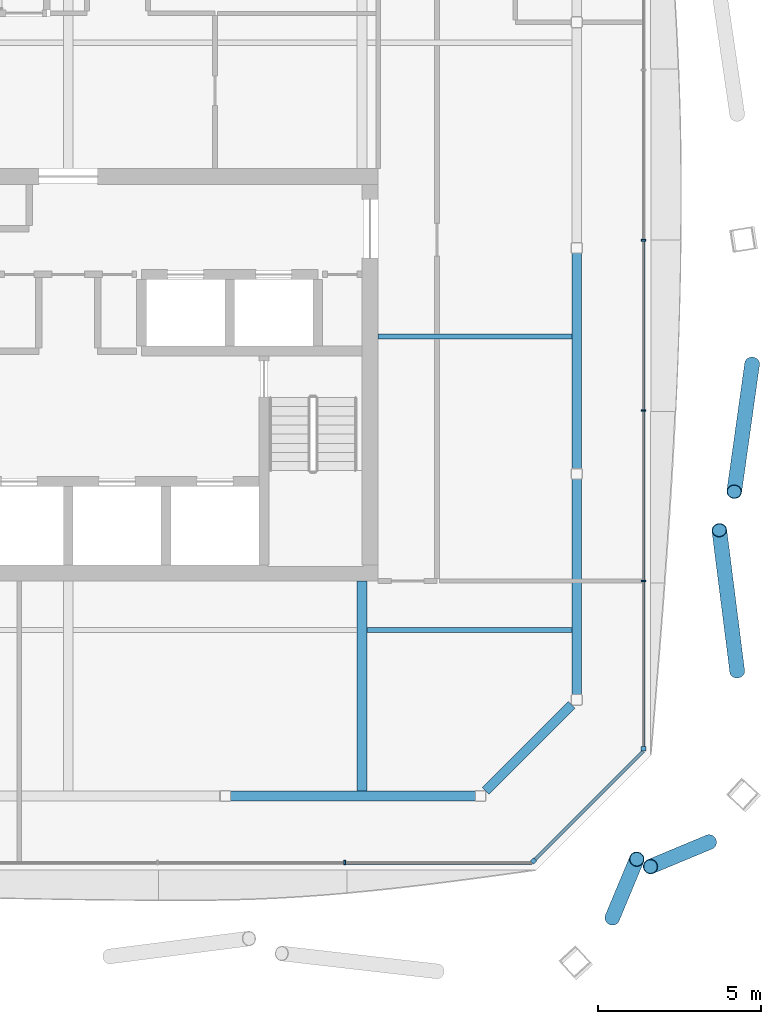
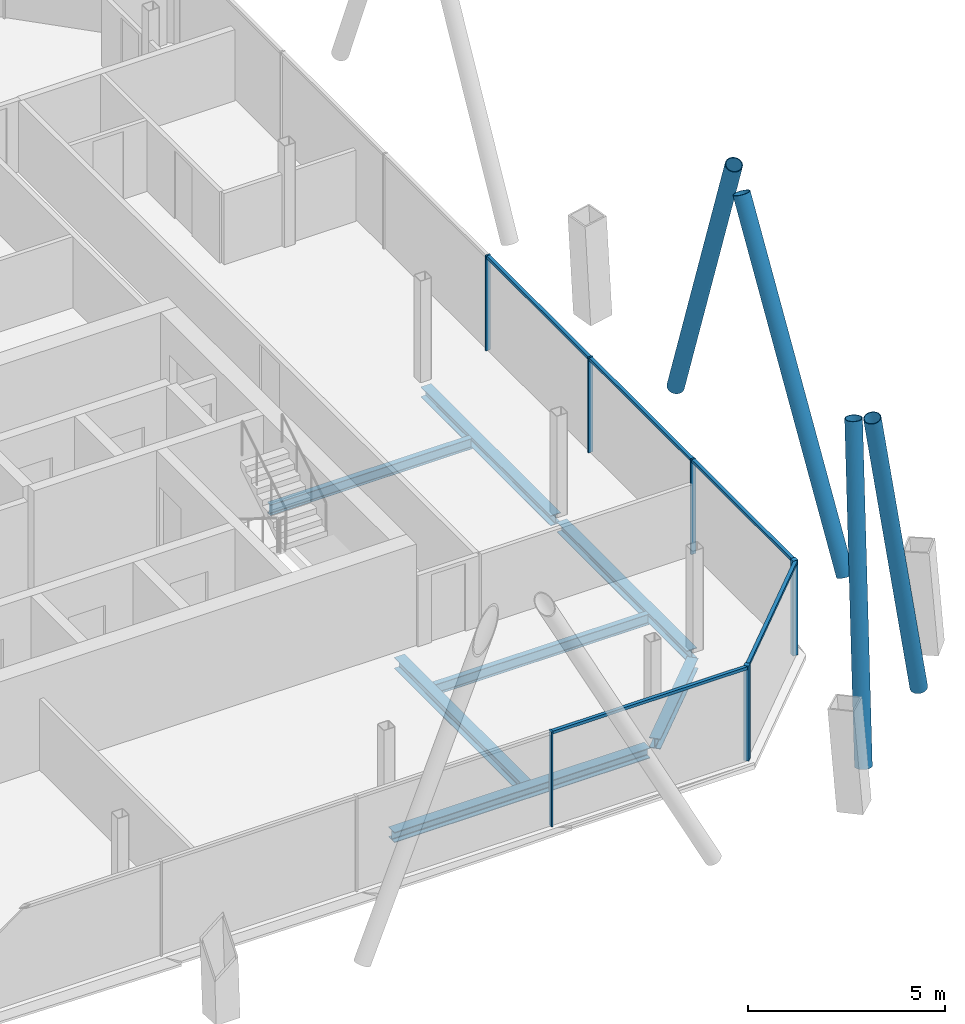
# One storey, part 8 of 20: 15 members, 7 beams, 3 elements without a shape of their own.
"""IFC4 building model written with IfcOpenShell, lengths in metres."""

from ifc_helpers import new_model, si_unit, direction, frame, origin, origin_2d, place, context, subcontext, project, spatial, rectangle, hollow_circle, i_section, extrude, material, material_profile, profile_set, type_object, element, aggregate, save


model = new_model("IFC4")

# Units and contexts
model_context = context("Model", 3, precision=1e-05, world=origin(), true_north=direction((0.0, 1.0)))
body_context = subcontext(model_context, "Body", "Model", "MODEL_VIEW")
ifc_project = project(units=[si_unit("LENGTHUNIT", "METRE"), si_unit("AREAUNIT", "SQUARE_METRE"), si_unit("VOLUMEUNIT", "CUBIC_METRE"), si_unit("PLANEANGLEUNIT", "RADIAN"), si_unit("MASSUNIT", "GRAM", prefix="KILO")], contexts=[model_context])

# Site, building, storey
site_placement = place(None, origin())
site = spatial("IfcSite", under=ifc_project, at=site_placement, CompositionType="ELEMENT")
building_placement = place(site_placement, origin())
building = spatial("IfcBuilding", under=site, at=building_placement, Name="Tskaro Facet Tower", CompositionType="ELEMENT")
storey_placement = place(building_placement, frame((0.0, 0.0, 181.64990234375)))
storey = spatial("IfcBuildingStorey", under=building, at=storey_placement, Name="L45", CompositionType="ELEMENT", Elevation=181.64990234375)

# Members
ifc_material_1 = material(Name="Steel S355J2H", Category="steel")
ifc_material_profile_1 = material_profile(ifc_material_1, hollow_circle(Radius=0.228515625, WallThickness=0.02001953125, at=origin_2d()), Name="CHS 457x20")
ifc_profile_set_1 = profile_set([ifc_material_profile_1], Name="Steel S355J2H")
member_type_1 = type_object("IfcMemberType", Name="CHS 457x20 brace", PredefinedType="BRACE", material=ifc_profile_set_1)
for number, where, z_axis, x_axis, name in (
    (1, (16.67333984375, -22.31640625, 0.0), (0.077728830292, 0.186351834342, 0.979403503557), (-0.922932265608, 0.384962378812, 0.0), "CHS 457x20 XB03A/4"),
    (2, (19.6396484375, -19.99658203125, 0.0), (-0.186351834342, -0.077728830292, 0.979403503557), (0.384962378812, -0.922932265608, 0.0), "CHS 457x20 XB03B/4"),
):
    element("IfcMember", number, at=place(storey_placement, frame(where, z_axis=z_axis, x_axis=x_axis)), inside=storey, type_object=member_type_1, Name=name, PredefinedType="BRACE", context=body_context, shape_type="SweptSolid", body=[
        extrude(hollow_circle(Radius=0.228515625, WallThickness=0.02001953125, at=origin_2d()), origin(), (0.0, 0.0, 1.0), 9.64892578125),
    ])
member_1_placement = place(storey_placement, frame((20.499755859375, -14.761962890625, 0.0), z_axis=(-0.052645276845, 0.415414401555, 0.908107565108), x_axis=(-0.99206526087, -0.125723976133, 0.0)))
element("IfcMember", 3, at=member_1_placement, inside=storey, type_object=member_type_1, Name="CHS 457x20 XB04A/4", PredefinedType="BRACE", context=body_context, shape_type="SweptSolid", body=[
    extrude(hollow_circle(Radius=0.228515625, WallThickness=0.02001953125, at=origin_2d()), origin(), (0.0, 0.0, 1.0), 10.406494140625),
])
member_2_placement = place(storey_placement, frame((20.956787109375, -5.346435546875, 0.0), z_axis=(-0.053486554569, -0.381985527417, 0.922619230953), x_axis=(0.990338691799, -0.138669663322, 0.0)))
element("IfcMember", 4, at=member_2_placement, inside=storey, type_object=member_type_1, Name="CHS 457x20 XB04B/4", PredefinedType="BRACE", context=body_context, shape_type="SweptSolid", body=[
    extrude(hollow_circle(Radius=0.228515625, WallThickness=0.02001953125, at=origin_2d()), origin(), (0.0, 0.0, 1.0), 10.24267578125),
])

# Curtain wall, member
ifc_material_2 = material(Name="Bronze anodised aluminium 6063-T6", Category="aluminium")
curtain_wall_type = type_object("IfcCurtainWallType", Name="Bronze residence curtain wall (FW3)", PredefinedType="NOTDEFINED", material=ifc_material_2)
curtain_wall_1_placement = place(storey_placement, origin())
curtain_wall_1 = element("IfcCurtainWall", 5, at=curtain_wall_1_placement, inside=storey, type_object=curtain_wall_type, Name="FW3 south-east facet L45", PredefinedType="NOTDEFINED")
ifc_material_profile_2 = material_profile(ifc_material_2, rectangle(XDim=0.139892578125, YDim=0.139892578125, at=origin_2d()), Name="Corner post 140x140")
ifc_profile_set_2 = profile_set([ifc_material_profile_2], Name="Bronze anodised aluminium 6063-T6")
member_type_2 = type_object("IfcMemberType", Name="FW3 bronze corner post 140x140", PredefinedType="MULLION", material=ifc_profile_set_2)
member_3_placement = place(storey_placement, frame((14.258544921875, -20.57861328125, 0.0), z_axis=(0.0, 0.0, 1.0), x_axis=(0.707106781187, 0.707106781187, 0.0)))
member_3 = element("IfcMember", 6, at=member_3_placement, type_object=member_type_2, Name="FW3 south-east corner post", PredefinedType="MULLION", context=body_context, shape_type="SweptSolid", body=[
    extrude(rectangle(XDim=0.139892578125, YDim=0.139892578125, at=origin_2d()), origin(), (0.0, 0.0, 1.0), 2.9501953125),
])

curtain_wall_2_placement = place(storey_placement, origin())
curtain_wall_2 = element("IfcCurtainWall", 7, at=curtain_wall_2_placement, inside=storey, type_object=curtain_wall_type, Name="FW3 east facet L45", PredefinedType="NOTDEFINED")
member_4_placement = place(storey_placement, frame((17.6279296875, -17.138916015625, 0.0), z_axis=(0.0, 0.0, 1.0), x_axis=(0.0, 1.0, 0.0)))
member_4 = element("IfcMember", 8, at=member_4_placement, type_object=member_type_2, Name="FW3 east corner post", PredefinedType="MULLION", context=body_context, shape_type="SweptSolid", body=[
    extrude(rectangle(XDim=0.139892578125, YDim=0.139892578125, at=origin_2d()), origin(), (0.0, 0.0, 1.0), 2.9501953125),
])

curtain_wall_3_placement = place(storey_placement, origin())
curtain_wall_3 = element("IfcCurtainWall", 9, at=curtain_wall_3_placement, inside=storey, type_object=curtain_wall_type, Name="FW3 south facet L45", PredefinedType="NOTDEFINED")
ifc_material_profile_3 = material_profile(ifc_material_2, rectangle(XDim=0.050048828125, YDim=0.139892578125, at=origin_2d()), Name="Mullion 50x140")
ifc_profile_set_3 = profile_set([ifc_material_profile_3], Name="Bronze anodised aluminium 6063-T6")
member_type_3 = type_object("IfcMemberType", Name="FW3 bronze mullion 50x140", PredefinedType="MULLION", material=ifc_profile_set_3)
member_5_placement = place(storey_placement, frame((8.47265625, -20.6279296875, 0.0), z_axis=(0.0, 0.0, 1.0), x_axis=(1.0, 0.0, 0.0)))
member_5 = element("IfcMember", 10, at=member_5_placement, type_object=member_type_3, Name="FW3 south mullion 5", PredefinedType="MULLION", context=body_context, shape_type="SweptSolid", body=[
    extrude(rectangle(XDim=0.050048828125, YDim=0.139892578125, at=origin_2d()), origin(), (0.0, 0.0, 1.0), 2.9501953125),
])

# Member
member_6_placement = place(storey_placement, frame((17.6279296875, -11.99072265625, 0.0), z_axis=(0.0, 0.0, 1.0), x_axis=(0.0, 1.0, 0.0)))
member_6 = element("IfcMember", 11, at=member_6_placement, type_object=member_type_3, Name="FW3 east mullion 1", PredefinedType="MULLION", context=body_context, shape_type="SweptSolid", body=[
    extrude(rectangle(XDim=0.050048828125, YDim=0.139892578125, at=origin_2d()), origin(), (0.0, 0.0, 1.0), 2.9501953125),
])

member_7_placement = place(storey_placement, frame((17.6279296875, -6.772705078125, 0.0), z_axis=(0.0, 0.0, 1.0), x_axis=(0.0, 1.0, 0.0)))
member_7 = element("IfcMember", 12, at=member_7_placement, type_object=member_type_3, Name="FW3 east mullion 2", PredefinedType="MULLION", context=body_context, shape_type="SweptSolid", body=[
    extrude(rectangle(XDim=0.050048828125, YDim=0.139892578125, at=origin_2d()), origin(), (0.0, 0.0, 1.0), 2.9501953125),
])

member_8_placement = place(storey_placement, frame((17.6279296875, -1.554443359375, 0.0), z_axis=(0.0, 0.0, 1.0), x_axis=(0.0, 1.0, 0.0)))
member_8 = element("IfcMember", 13, at=member_8_placement, type_object=member_type_3, Name="FW3 east mullion 3", PredefinedType="MULLION", context=body_context, shape_type="SweptSolid", body=[
    extrude(rectangle(XDim=0.050048828125, YDim=0.139892578125, at=origin_2d()), origin(), (0.0, 0.0, 1.0), 2.9501953125),
])

ifc_material_profile_4 = material_profile(ifc_material_2, rectangle(XDim=0.10009765625, YDim=0.090087890625, at=origin_2d()), Name="Transom 100x90")
ifc_profile_set_4 = profile_set([ifc_material_profile_4], Name="Bronze anodised aluminium 6063-T6")
member_type_4 = type_object("IfcMemberType", Name="FW3 bronze transom 100x90", PredefinedType="USERDEFINED", material=ifc_profile_set_4)
member_9_placement = place(storey_placement, frame((8.49755859375, -20.6279296875, 2.905029296875), z_axis=(1.0, 0.0, 0.0), x_axis=(0.0, 1.0, 0.0)))
member_9 = element("IfcMember", 14, at=member_9_placement, type_object=member_type_4, Name="FW3 south transom 6.1", ObjectType="TRANSOM", PredefinedType="USERDEFINED", context=body_context, shape_type="SweptSolid", body=[
    extrude(rectangle(XDim=0.10009765625, YDim=0.090087890625, at=origin_2d()), origin(), (0.0, 0.0, 1.0), 5.71142578125),
])

aggregate(curtain_wall_3, [member_5, member_9])

member_10_placement = place(storey_placement, frame((14.30810546875, -20.529052734375, 2.905029296875), z_axis=(0.707080781268, 0.707132780149, 0.0), x_axis=(-0.707132780149, 0.707080781268, 0.0)))
member_10 = element("IfcMember", 15, at=member_10_placement, type_object=member_type_4, Name="FW3 south-east transom 1.1", ObjectType="TRANSOM", PredefinedType="USERDEFINED", context=body_context, shape_type="SweptSolid", body=[
    extrude(rectangle(XDim=0.10009765625, YDim=0.090087890625, at=origin_2d()), origin(), (0.0, 0.0, 1.0), 4.695068359375),
])

aggregate(curtain_wall_1, [member_3, member_10])

member_11_placement = place(storey_placement, frame((17.6279296875, -17.069091796875, 2.905029296875), z_axis=(0.0, 1.0, 0.0), x_axis=(-1.0, 0.0, 0.0)))
member_11 = element("IfcMember", 16, at=member_11_placement, type_object=member_type_4, Name="FW3 east transom 1.1", ObjectType="TRANSOM", PredefinedType="USERDEFINED", context=body_context, shape_type="SweptSolid", body=[
    extrude(rectangle(XDim=0.10009765625, YDim=0.090087890625, at=origin_2d()), origin(), (0.0, 0.0, 1.0), 5.05322265625),
])

member_12_placement = place(storey_placement, frame((17.6279296875, -11.9658203125, 2.905029296875), z_axis=(0.0, 1.0, 0.0), x_axis=(-1.0, 0.0, 0.0)))
member_12 = element("IfcMember", 17, at=member_12_placement, type_object=member_type_4, Name="FW3 east transom 2.1", ObjectType="TRANSOM", PredefinedType="USERDEFINED", context=body_context, shape_type="SweptSolid", body=[
    extrude(rectangle(XDim=0.10009765625, YDim=0.090087890625, at=origin_2d()), origin(), (0.0, 0.0, 1.0), 5.168212890625),
])

member_13_placement = place(storey_placement, frame((17.6279296875, -6.74755859375, 2.905029296875), z_axis=(0.0, 1.0, 0.0), x_axis=(-1.0, 0.0, 0.0)))
member_13 = element("IfcMember", 18, at=member_13_placement, type_object=member_type_4, Name="FW3 east transom 3.1", ObjectType="TRANSOM", PredefinedType="USERDEFINED", context=body_context, shape_type="SweptSolid", body=[
    extrude(rectangle(XDim=0.10009765625, YDim=0.090087890625, at=origin_2d()), origin(), (0.0, 0.0, 1.0), 5.16796875),
])

aggregate(curtain_wall_2, [member_4, member_6, member_7, member_8, member_11, member_12, member_13])

# Beams
ifc_material_3 = material(Name="Steel S355J2", Category="steel")
ifc_material_profile_5 = material_profile(ifc_material_3, i_section(OverallWidth=0.300048828125, OverallDepth=0.320068359375, WebThickness=0.011474609375, FlangeThickness=0.0205078125, FilletRadius=0.027099609375, at=origin_2d()), Name="HE 320 B")
ifc_profile_set_5 = profile_set([ifc_material_profile_5], Name="Steel S355J2")
beam_type_1 = type_object("IfcBeamType", Name="HE 320 B ring beam", PredefinedType="BEAM", material=ifc_profile_set_5)
beam_1_placement = place(storey_placement, frame((4.971923828125, -18.5830078125, -0.2998046875), z_axis=(1.0, 0.0, 0.0), x_axis=(0.0, 1.0, 0.0)))
element("IfcBeam", 19, at=beam_1_placement, inside=storey, type_object=beam_type_1, Name="HE 320 B EB4-4", PredefinedType="BEAM", context=body_context, shape_type="SweptSolid", body=[
    extrude(i_section(OverallWidth=0.300048828125, OverallDepth=0.320068359375, WebThickness=0.011474609375, FlangeThickness=0.0205078125, FilletRadius=0.027099609375, at=origin_2d()), origin(), (0.0, 0.0, 1.0), 7.506103515625),
])
beam_2_placement = place(storey_placement, frame((12.7939453125, -18.422119140625, -0.2998046875), z_axis=(0.707106781187, 0.707106781187, 0.0), x_axis=(-0.707106781187, 0.707106781187, 0.0)))
element("IfcBeam", 20, at=beam_2_placement, inside=storey, type_object=beam_type_1, Name="HE 320 B EB5-4", PredefinedType="BEAM", context=body_context, shape_type="SweptSolid", body=[
    extrude(i_section(OverallWidth=0.300048828125, OverallDepth=0.320068359375, WebThickness=0.011474609375, FlangeThickness=0.0205078125, FilletRadius=0.027099609375, at=origin_2d()), origin(), (0.0, 0.0, 1.0), 3.716796875),
])
for number, where, z_axis, x_axis, name in (
    (21, (15.5830078125, -15.47802734375, -0.2998046875), (0.0, 1.0, 0.0), (-1.0, 0.0, 0.0), "HE 320 B EB6-4"),
    (22, (15.5830078125, -8.55810546875, -0.2998046875), (0.0, 1.0, 0.0), (-1.0, 0.0, 0.0), "HE 320 B EB7-4"),
):
    element("IfcBeam", number, at=place(storey_placement, frame(where, z_axis=z_axis, x_axis=x_axis)), inside=storey, type_object=beam_type_1, Name=name, PredefinedType="BEAM", context=body_context, shape_type="SweptSolid", body=[
        extrude(i_section(OverallWidth=0.300048828125, OverallDepth=0.320068359375, WebThickness=0.011474609375, FlangeThickness=0.0205078125, FilletRadius=0.027099609375, at=origin_2d()), origin(), (0.0, 0.0, 1.0), 6.610107421875),
    ])
ifc_material_profile_6 = material_profile(ifc_material_3, i_section(OverallWidth=0.300048828125, OverallDepth=0.35009765625, WebThickness=0.010009765625, FlangeThickness=0.017578125, FilletRadius=0.027099609375, at=origin_2d()), Name="HE 360 A")
ifc_profile_set_6 = profile_set([ifc_material_profile_6], Name="Steel S355J2")
beam_type_2 = type_object("IfcBeamType", Name="HE 360 A girder", PredefinedType="BEAM", material=ifc_profile_set_6)
beam_3_placement = place(storey_placement, frame((9.0, -18.43310546875, -0.31494140625), z_axis=(0.0, 1.0, 0.0), x_axis=(-1.0, 0.0, 0.0)))
element("IfcBeam", 23, at=beam_3_placement, inside=storey, type_object=beam_type_2, Name="HE 360 A GB5-1-4", PredefinedType="BEAM", context=body_context, shape_type="SweptSolid", body=[
    extrude(i_section(OverallWidth=0.300048828125, OverallDepth=0.35009765625, WebThickness=0.010009765625, FlangeThickness=0.017578125, FilletRadius=0.027099609375, at=origin_2d()), origin(), (0.0, 0.0, 1.0), 6.43310546875),
])
ifc_material_profile_7 = material_profile(ifc_material_3, i_section(OverallWidth=0.159912109375, OverallDepth=0.330078125, WebThickness=0.007568359375, FlangeThickness=0.011474609375, FilletRadius=0.01806640625, at=origin_2d()), Name="IPE 330")
ifc_profile_set_7 = profile_set([ifc_material_profile_7], Name="Steel S355J2")
beam_type_3 = type_object("IfcBeamType", Name="IPE 330 secondary beam", PredefinedType="BEAM", material=ifc_profile_set_7)
beam_4_placement = place(storey_placement, frame((9.14990234375, -13.5, -0.304931640625), z_axis=(1.0, 0.0, 0.0), x_axis=(0.0, 1.0, 0.0)))
element("IfcBeam", 24, at=beam_4_placement, inside=storey, type_object=beam_type_3, Name="IPE 330 SB2a-5-4", PredefinedType="BEAM", context=body_context, shape_type="SweptSolid", body=[
    extrude(i_section(OverallWidth=0.159912109375, OverallDepth=0.330078125, WebThickness=0.007568359375, FlangeThickness=0.011474609375, FilletRadius=0.01806640625, at=origin_2d()), origin(), (0.0, 0.0, 1.0), 6.283203125),
])
beam_5_placement = place(storey_placement, frame((9.5, -4.5, -0.304931640625), z_axis=(1.0, 0.0, 0.0), x_axis=(0.0, 1.0, 0.0)))
element("IfcBeam", 25, at=beam_5_placement, inside=storey, type_object=beam_type_3, Name="IPE 330 SB3a-3-4", PredefinedType="BEAM", context=body_context, shape_type="SweptSolid", body=[
    extrude(i_section(OverallWidth=0.159912109375, OverallDepth=0.330078125, WebThickness=0.007568359375, FlangeThickness=0.011474609375, FilletRadius=0.01806640625, at=origin_2d()), origin(), (0.0, 0.0, 1.0), 5.93310546875),
])

save(model, "model.ifc")
